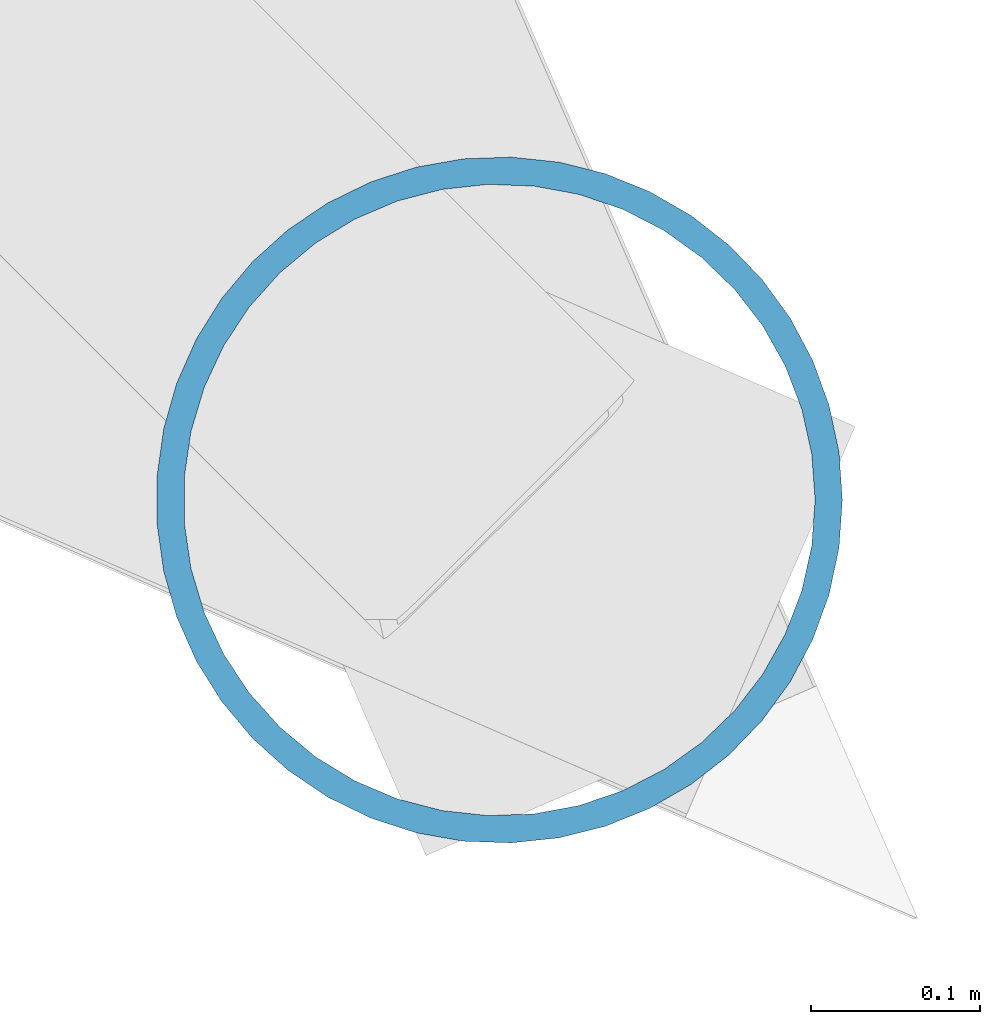
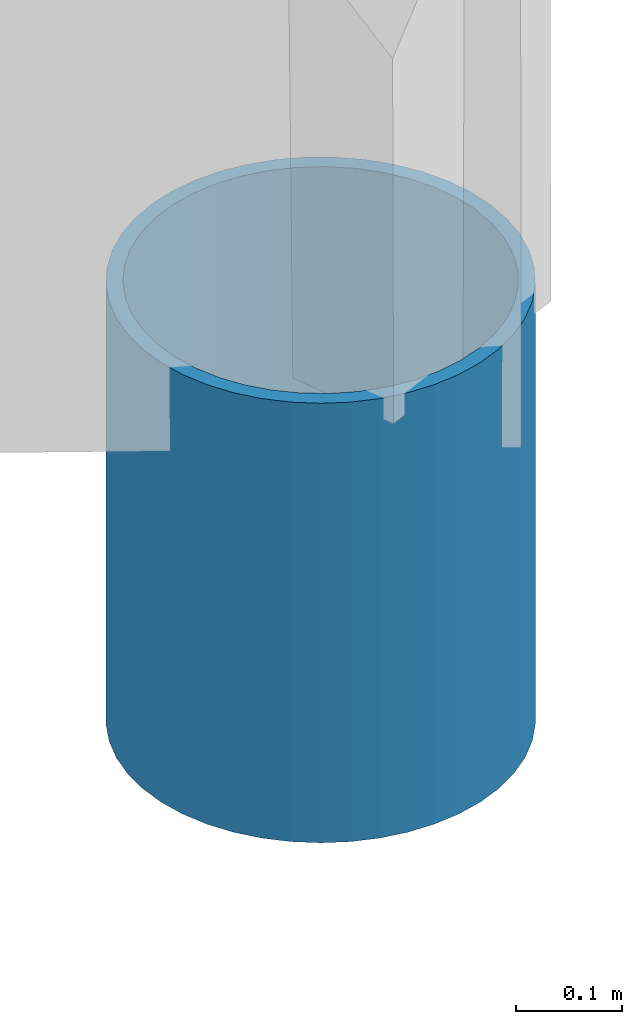
# One storey, part 7 of 95: 1 column.
"""IFC4 building model written with IfcOpenShell, lengths in metres."""

from ifc_helpers import new_model, si_unit, direction, frame, origin, origin_2d, place, context, subcontext, project, spatial, hollow_circle, extrude, material, material_profile, profile_set, type_object, element, save


model = new_model("IFC4")

# Units and contexts
model_context = context("Model", 3, precision=1e-05, world=origin(), true_north=direction((0.0, 1.0)))
body_context = subcontext(model_context, "Body", "Model", "MODEL_VIEW")
ifc_project = project(units=[si_unit("LENGTHUNIT", "METRE"), si_unit("AREAUNIT", "SQUARE_METRE"), si_unit("VOLUMEUNIT", "CUBIC_METRE"), si_unit("PLANEANGLEUNIT", "RADIAN"), si_unit("MASSUNIT", "GRAM", prefix="KILO")], contexts=[model_context])

# Site, building, storey
site_placement = place(None, origin())
site = spatial("IfcSite", under=ifc_project, at=site_placement, CompositionType="ELEMENT")
building_placement = place(site_placement, origin())
building = spatial("IfcBuilding", under=site, at=building_placement, Name="Magnolia Steps Interchange", CompositionType="ELEMENT")
storey_placement = place(building_placement, frame((0.0, 0.0, 4.800048828125)))
storey = spatial("IfcBuildingStorey", under=building, at=storey_placement, Name="L01", CompositionType="ELEMENT", Elevation=4.800048828125)

# Column
ifc_material = material(Name="Steel Q355B", Category="steel")
ifc_material_profile = material_profile(ifc_material, hollow_circle(Radius=0.202880859375, WallThickness=0.01611328125, at=origin_2d()), Name="CHS406x16")
ifc_profile_set = profile_set([ifc_material_profile], Name="Steel Q355B")
column_type = type_object("IfcColumnType", Name="Truss tip prop CHS406x16", PredefinedType="COLUMN", material=ifc_profile_set)
column_placement = place(storey_placement, frame((191.320556640625, 33.87939453125, 0.0), z_axis=(0.0, 0.0, 1.0), x_axis=(1.0, 0.0, 0.0)))
element("IfcColumn", 1, at=column_placement, inside=storey, type_object=column_type, Name="Tip prop SP-C-SE", PredefinedType="COLUMN", context=body_context, shape_type="SweptSolid", body=[
    extrude(hollow_circle(Radius=0.202880859375, WallThickness=0.01611328125, at=origin_2d()), origin(), (0.0, 0.0, 1.0), 0.506591796875),
])

save(model, "model.ifc")
